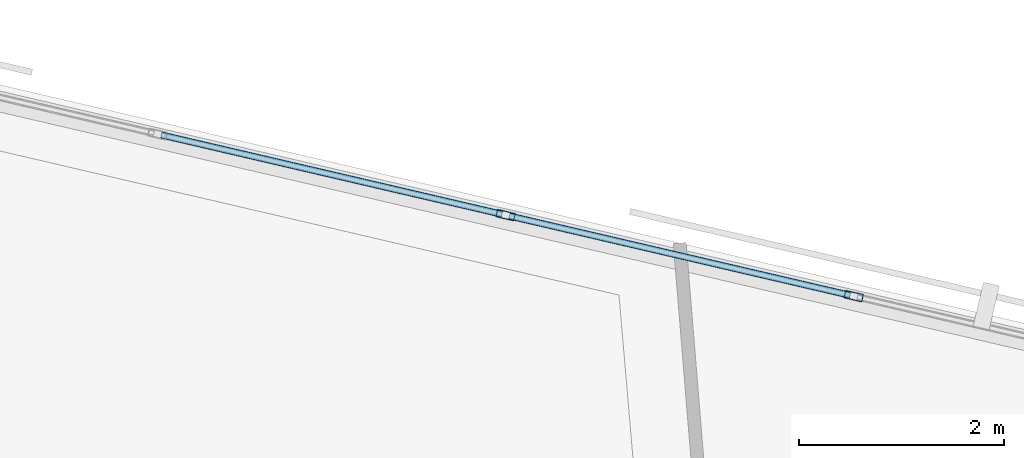
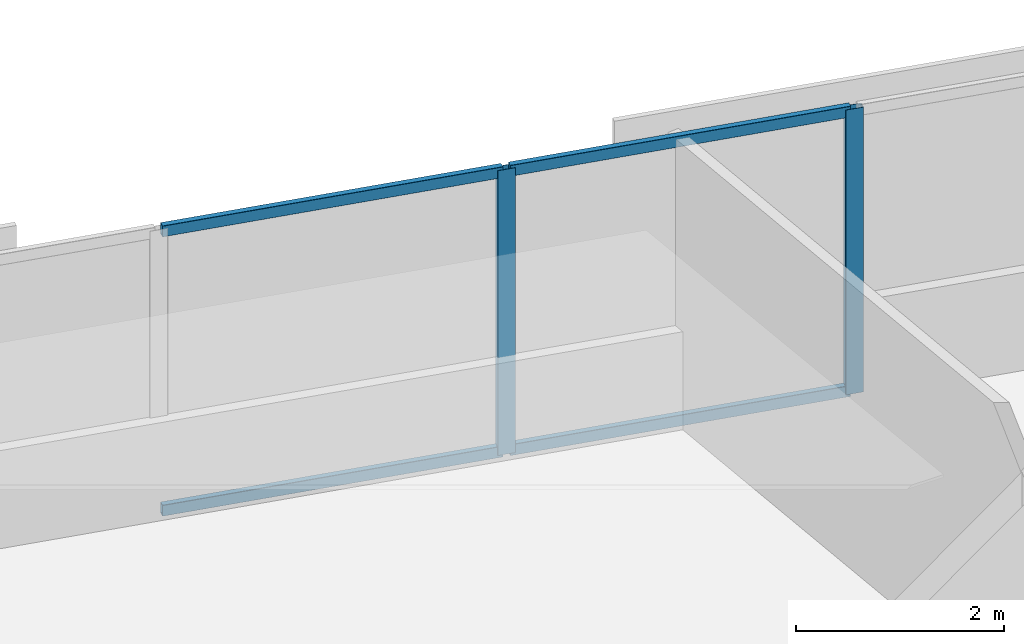
# One storey, part 7 of 14: 6 members, 1 element without a shape of its own.
"""IFC4 building model written with IfcOpenShell, lengths in metres."""

from ifc_helpers import new_model, si_unit, direction, frame, origin, origin_2d, place, context, subcontext, project, spatial, hollow_rectangle, extrude, material, material_profile, profile_set, type_object, element, aggregate, save


model = new_model("IFC4")

# Units and contexts
model_context = context("Model", 3, precision=1e-05, world=origin(), true_north=direction((0.0, 1.0)))
body_context = subcontext(model_context, "Body", "Model", "MODEL_VIEW")
ifc_project = project(units=[si_unit("LENGTHUNIT", "METRE"), si_unit("AREAUNIT", "SQUARE_METRE"), si_unit("VOLUMEUNIT", "CUBIC_METRE"), si_unit("PLANEANGLEUNIT", "RADIAN"), si_unit("MASSUNIT", "GRAM", prefix="KILO")], contexts=[model_context])

# Site, building, storey
site_placement = place(None, origin())
site = spatial("IfcSite", under=ifc_project, at=site_placement, CompositionType="ELEMENT")
building_placement = place(site_placement, origin())
building = spatial("IfcBuilding", under=site, at=building_placement, Name="Narakoshi Arena Tower", CompositionType="ELEMENT")
storey_placement = place(building_placement, frame((0.0, 0.0, 175.5)))
storey = spatial("IfcBuildingStorey", under=building, at=storey_placement, Name="L47", CompositionType="ELEMENT", Elevation=175.5)

# Curtain wall, members
ifc_material = material(Name="Anodised bronze aluminium 6063-T6", Category="aluminium")
curtain_wall_type = type_object("IfcCurtainWallType", Name="CW-HYP-MID", PredefinedType="NOTDEFINED", material=ifc_material)
curtain_wall_placement = place(storey_placement, origin())
curtain_wall = element("IfcCurtainWall", 1, at=curtain_wall_placement, inside=storey, type_object=curtain_wall_type, Name="L47 Folded Hypotenuse Curtain Wall 2-1", PredefinedType="NOTDEFINED")
ifc_material_profile_1 = material_profile(ifc_material, hollow_rectangle(XDim=0.074951171875, YDim=0.179931640625, WallThickness=0.00390625, OuterFilletRadius=0.0048828125, at=origin_2d()), Name="MUL180x75x4")
ifc_profile_set_1 = profile_set([ifc_material_profile_1], Name="Anodised bronze aluminium 6063-T6")
member_type_1 = type_object("IfcMemberType", Name="MEM-MUL-180", PredefinedType="MULLION", material=ifc_profile_set_1)
member_1_placement = place(storey_placement, frame((78.911376953125, 64.4443359375, 0.0), z_axis=(0.0, 0.0, 1.0), x_axis=(-0.226721182724, -0.973959704148, 0.0)))
member_1 = element("IfcMember", 2, at=member_1_placement, type_object=member_type_1, Name="CW-02 mullion 3", PredefinedType="MULLION", context=body_context, shape_type="SweptSolid", body=[
    extrude(hollow_rectangle(XDim=0.074951171875, YDim=0.179931640625, WallThickness=0.00390625, OuterFilletRadius=0.0048828125, at=origin_2d()), origin(), (0.0, 0.0, 1.0), 3.340087890625),
])
member_2_placement = place(storey_placement, frame((75.510498046875, 65.236083984375, 0.0), z_axis=(0.0, 0.0, 1.0), x_axis=(-0.226721182724, -0.973959704148, 0.0)))
member_2 = element("IfcMember", 3, at=member_2_placement, type_object=member_type_1, Name="CW-02 mullion 4", PredefinedType="MULLION", context=body_context, shape_type="SweptSolid", body=[
    extrude(hollow_rectangle(XDim=0.074951171875, YDim=0.179931640625, WallThickness=0.00390625, OuterFilletRadius=0.0048828125, at=origin_2d()), origin(), (0.0, 0.0, 1.0), 3.340087890625),
])
ifc_material_profile_2 = material_profile(ifc_material, hollow_rectangle(XDim=0.06494140625, YDim=0.1298828125, WallThickness=0.00390625, OuterFilletRadius=0.0048828125, at=origin_2d()), Name="TRN130x65x4")
ifc_profile_set_2 = profile_set([ifc_material_profile_2], Name="Anodised bronze aluminium 6063-T6")
member_type_2 = type_object("IfcMemberType", Name="MEM-TRN-130", PredefinedType="USERDEFINED", material=ifc_profile_set_2)
member_3_placement = place(storey_placement, frame((78.874755859375, 64.452880859375, 0.032470703125), z_axis=(-0.973957040336, 0.226732625751, 0.0), x_axis=(-0.226732625751, -0.973957040336, 0.0)))
member_3 = element("IfcMember", 4, at=member_3_placement, type_object=member_type_2, Name="CW-02 transom 3.1", ObjectType="TRANSOM", PredefinedType="USERDEFINED", context=body_context, shape_type="SweptSolid", body=[
    extrude(hollow_rectangle(XDim=0.06494140625, YDim=0.1298828125, WallThickness=0.00390625, OuterFilletRadius=0.0048828125, at=origin_2d()), origin(), (0.0, 0.0, 1.0), 3.41650390625),
])
member_4_placement = place(storey_placement, frame((78.874755859375, 64.452880859375, 3.3076171875), z_axis=(-0.973957040336, 0.226732625751, 0.0), x_axis=(-0.226732625751, -0.973957040336, 0.0)))
member_4 = element("IfcMember", 5, at=member_4_placement, type_object=member_type_2, Name="CW-02 transom 3.2", ObjectType="TRANSOM", PredefinedType="USERDEFINED", context=body_context, shape_type="SweptSolid", body=[
    extrude(hollow_rectangle(XDim=0.06494140625, YDim=0.1298828125, WallThickness=0.00390625, OuterFilletRadius=0.0048828125, at=origin_2d()), origin(), (0.0, 0.0, 1.0), 3.41650390625),
])
member_5_placement = place(storey_placement, frame((75.473876953125, 65.24462890625, 0.032470703125), z_axis=(-0.973957040336, 0.226732625751, 0.0), x_axis=(-0.226732625751, -0.973957040336, 0.0)))
member_5 = element("IfcMember", 6, at=member_5_placement, type_object=member_type_2, Name="CW-02 transom 4.1", ObjectType="TRANSOM", PredefinedType="USERDEFINED", context=body_context, shape_type="SweptSolid", body=[
    extrude(hollow_rectangle(XDim=0.06494140625, YDim=0.1298828125, WallThickness=0.00390625, OuterFilletRadius=0.0048828125, at=origin_2d()), origin(), (0.0, 0.0, 1.0), 3.41650390625),
])
member_6_placement = place(storey_placement, frame((75.473876953125, 65.24462890625, 3.3076171875), z_axis=(-0.973957040336, 0.226732625751, 0.0), x_axis=(-0.226732625751, -0.973957040336, 0.0)))
member_6 = element("IfcMember", 7, at=member_6_placement, type_object=member_type_2, Name="CW-02 transom 4.2", ObjectType="TRANSOM", PredefinedType="USERDEFINED", context=body_context, shape_type="SweptSolid", body=[
    extrude(hollow_rectangle(XDim=0.06494140625, YDim=0.1298828125, WallThickness=0.00390625, OuterFilletRadius=0.0048828125, at=origin_2d()), origin(), (0.0, 0.0, 1.0), 3.41650390625),
])
aggregate(curtain_wall, [member_1, member_2, member_3, member_4, member_5, member_6])

save(model, "model.ifc")
